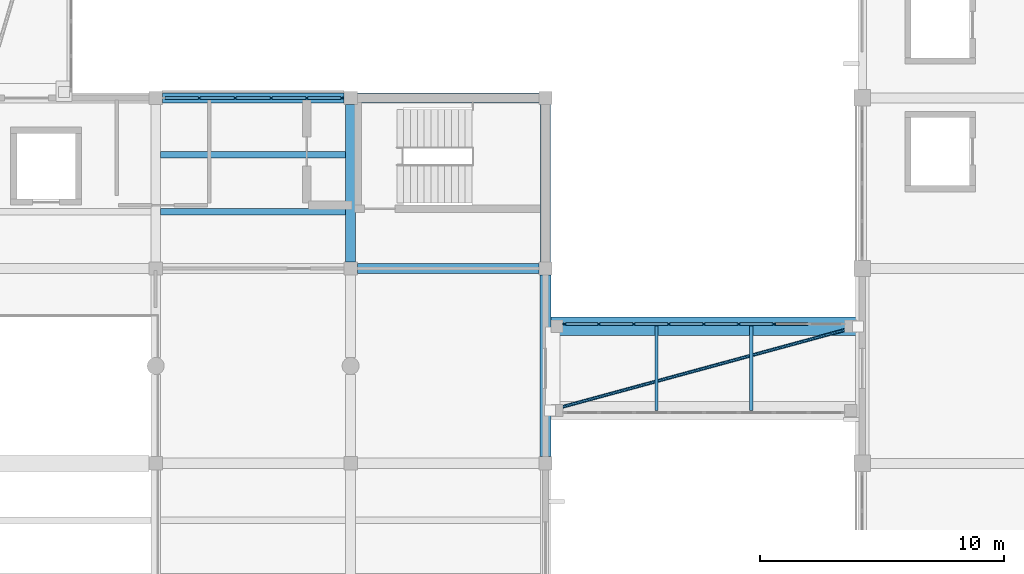
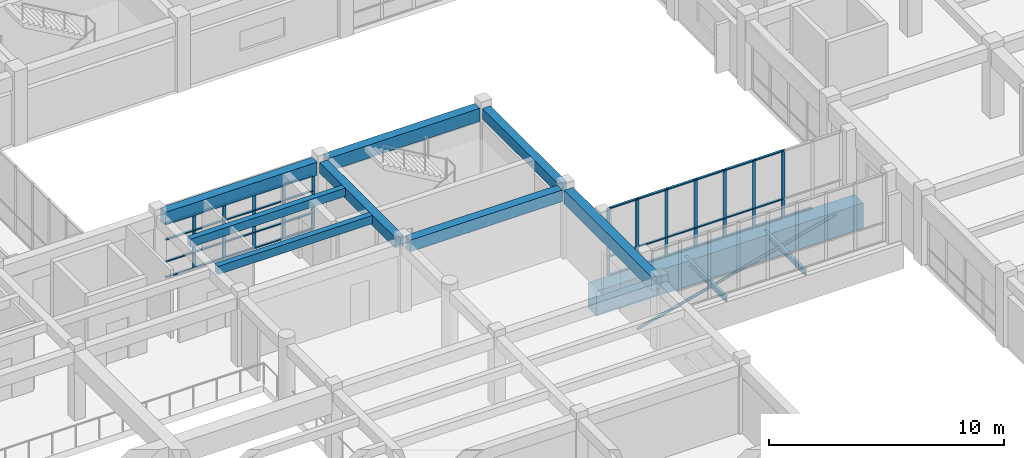
# One storey, part 21 of 66: 52 members, 11 beams, 2 elements without a shape of their own.
"""IFC4 building model written with IfcOpenShell, lengths in metres."""

import ifcopenshell
import ifcopenshell.guid

model = None  # the IFC model being written
_history = None  # IfcOwnerHistory: only IFC2X3 demands one
_inside = {}  # id of a spatial element -> (the spatial element, [elements in it])
_under = {}  # id of a project, library or spatial element -> (it, [spatial elements below it])
_declared = {}  # id of a project -> (the project, [libraries it declares])
_typed = {}  # id of a type object -> (the type object, [elements of that type])
_made_of = {}  # id of a material, layer set ... -> (it, [elements and type objects made of it])


def new_model(schema):
    """Start an empty IFC model of exactly this schema.

    Asked for "IFC4X3", IfcOpenShell would pick the latest addendum, in which some entities
    have other attributes; the version numbers below select the first issue.
    IFC2X3 requires an IfcOwnerHistory on every rooted entity: one is made here for all.
    """
    global model, _history
    if schema == "IFC4X3":
        model = ifcopenshell.file(schema_version=(4, 3, 0, 0))
    else:
        model = ifcopenshell.file(schema=schema)
    _inside.clear()
    _under.clear()
    _declared.clear()
    _typed.clear()
    _made_of.clear()
    _history = None
    if model.schema == "IFC2X3":
        org = make("IfcOrganization", Name="unknown")
        user = make(
            "IfcPersonAndOrganization",
            ThePerson=make("IfcPerson", FamilyName="unknown"),
            TheOrganization=org,
        )
        app = make(
            "IfcApplication",
            ApplicationDeveloper=org,
            Version="unknown",
            ApplicationFullName="unknown",
            ApplicationIdentifier="unknown",
        )
        _history = make(
            "IfcOwnerHistory",
            OwningUser=user,
            OwningApplication=app,
            ChangeAction="ADDED",
            CreationDate=0,
        )
    return model


def make(cls, **values):
    """One entity of the class cls with the attributes given. An attribute that is None is left unset."""
    return model.create_entity(
        cls, **{name: value for name, value in values.items() if value is not None}
    )


def rooted(cls, **values):
    """An entity with a GlobalId (a new one), such as an element, a storey or a relation."""
    return make(cls, GlobalId=ifcopenshell.guid.new(), OwnerHistory=_history, **values)


def si_unit(unit_type, name, prefix=None):
    """IfcSIUnit, for example si_unit("LENGTHUNIT", "METRE", prefix="MILLI")."""
    return make("IfcSIUnit", UnitType=unit_type, Prefix=prefix, Name=name)


def assignment(units):
    """IfcUnitAssignment: the units of a project."""
    return None if units is None else make("IfcUnitAssignment", Units=units)


def point(xyz):
    """IfcCartesianPoint."""
    return None if xyz is None else make("IfcCartesianPoint", Coordinates=xyz)


def direction(xyz):
    """IfcDirection."""
    return None if xyz is None else make("IfcDirection", DirectionRatios=xyz)


def frame(location, z_axis=None, x_axis=None):
    """IfcAxis2Placement3D, a coordinate frame: its origin and axes. An axis left out is left unset."""
    return make(
        "IfcAxis2Placement3D",
        Location=point(location),
        Axis=direction(z_axis),
        RefDirection=direction(x_axis),
    )


def frame_2d(location, x_axis=None):
    """IfcAxis2Placement2D, a coordinate frame in the plane: its origin and x axis."""
    return make(
        "IfcAxis2Placement2D", Location=point(location), RefDirection=direction(x_axis)
    )


def origin():
    """The frame at (0, 0, 0) with its axes left unset."""
    return frame((0.0, 0.0, 0.0))


def origin_2d():
    """The frame at (0, 0) in the plane with its x axis left unset."""
    return frame_2d((0.0, 0.0))


def place(relative_to, where):
    """IfcLocalPlacement: puts the frame where relative to a parent placement (None: the world)."""
    return make(
        "IfcLocalPlacement", PlacementRelTo=relative_to, RelativePlacement=where
    )


def context(
    kind, dimensions, precision=None, world=None, true_north=None, identifier=None
):
    """IfcGeometricRepresentationContext, for example the 3D "Model" context."""
    return make(
        "IfcGeometricRepresentationContext",
        ContextIdentifier=identifier,
        ContextType=kind,
        CoordinateSpaceDimension=dimensions,
        Precision=precision,
        WorldCoordinateSystem=world,
        TrueNorth=true_north,
    )


def subcontext(parent, identifier, kind, view, scale=None):
    """IfcGeometricRepresentationSubContext, for example "Body" below "Model"."""
    return make(
        "IfcGeometricRepresentationSubContext",
        ContextIdentifier=identifier,
        ContextType=kind,
        ParentContext=parent,
        TargetScale=scale,
        TargetView=view,
    )


def project(units=None, contexts=None):
    """IfcProject with its units and contexts."""
    return rooted(
        "IfcProject",
        Name="project",
        RepresentationContexts=contexts,
        UnitsInContext=assignment(units),
    )


def spatial(cls, under=None, at=None, **own):
    """A site, building, storey or space (cls), placed at a placement, below another one or the project."""
    s = rooted(cls, ObjectPlacement=at, **own)
    if under is not None:
        _under.setdefault(under.id(), (under, []))[1].append(s)
    return s


def profile(cls, at=None, kind="AREA", **sizes):
    """A parametric profile (cls). Its sizes go by their IFC names, for example OverallWidth=200.0."""
    return make(cls, ProfileType=kind, Position=at, **sizes)


def rectangle(**sizes):
    """IfcRectangleProfileDef."""
    return profile("IfcRectangleProfileDef", **sizes)


def hollow_circle(**sizes):
    """IfcCircleHollowProfileDef."""
    return profile("IfcCircleHollowProfileDef", **sizes)


def i_section(**sizes):
    """IfcIShapeProfileDef."""
    return profile("IfcIShapeProfileDef", **sizes)


def extrude(swept, where, along, depth):
    """IfcExtrudedAreaSolid: the profile swept, set in the frame where, extruded along a direction by depth."""
    return make(
        "IfcExtrudedAreaSolid",
        SweptArea=swept,
        Position=where,
        ExtrudedDirection=direction(along),
        Depth=depth,
    )


def shape(context_of_items, identifier, shape_type, items):
    """IfcShapeRepresentation: the items that make up one representation, for example the "Body"."""
    return make(
        "IfcShapeRepresentation",
        ContextOfItems=context_of_items,
        RepresentationIdentifier=identifier,
        RepresentationType=shape_type,
        Items=items,
    )


def material(Name=None, Category=None):
    """IfcMaterial."""
    return make("IfcMaterial", Name=Name, Category=Category)


def layer(
    of_material, thickness, ventilated=None, Name=None, Category=None, Priority=None
):
    """IfcMaterialLayer: one layer of a wall or slab, of a material (None: an air gap)."""
    return make(
        "IfcMaterialLayer",
        Material=of_material,
        LayerThickness=thickness,
        IsVentilated=ventilated,
        Name=Name,
        Category=Category,
        Priority=Priority,
    )


def layer_set(layers, Name=None):
    """IfcMaterialLayerSet."""
    return make("IfcMaterialLayerSet", MaterialLayers=layers, LayerSetName=Name)


def material_profile(
    of_material, cross_section, Name=None, Category=None, Priority=None
):
    """IfcMaterialProfile: a cross section and its material."""
    return make(
        "IfcMaterialProfile",
        Name=Name,
        Material=of_material,
        Profile=cross_section,
        Priority=Priority,
        Category=Category,
    )


def profile_set(profiles, Name=None, composite=None):
    """IfcMaterialProfileSet."""
    return make(
        "IfcMaterialProfileSet",
        Name=Name,
        MaterialProfiles=profiles,
        CompositeProfile=composite,
    )


def made_of(thing, what):
    """Note that an element or type object is made of a material, layer set ...; save() writes the relation."""
    if what is not None:
        _made_of.setdefault(what.id(), (what, []))[1].append(thing)
    return thing


def type_object(cls, material=None, **own):
    """A type object (cls), such as IfcWallType, which elements share."""
    return made_of(rooted(cls, **own), material)


def element(
    cls,
    number,
    at=None,
    inside=None,
    cuts=None,
    type_object=None,
    material=None,
    context=None,
    identifier="Body",
    shape_type=None,
    held_by="IfcProductDefinitionShape",
    body=None,
    shapes=None,
    **own,
):
    """One element of the class cls, such as IfcWall. Its Tag is "e" and its number.

    at: its placement. inside: the storey or other place that contains it. cuts: it is an
    opening in that element (IfcRelVoidsElement). A single representation is given by context,
    identifier, shape_type and body (its items); several are given by shapes. held_by: the class
    of the entity that holds the representations. save() writes the other relations.
    """
    e = rooted(cls, Tag="e%d" % number, ObjectPlacement=at, **own)
    if body is not None:
        shapes = [shape(context, identifier, shape_type, body)]
    if shapes is not None:
        e.Representation = make(held_by, Representations=shapes)
    if inside is not None:
        _inside.setdefault(inside.id(), (inside, []))[1].append(e)
    if cuts is not None:
        rooted(
            "IfcRelVoidsElement", RelatingBuildingElement=cuts, RelatedOpeningElement=e
        )
    if type_object is not None:
        _typed.setdefault(type_object.id(), (type_object, []))[1].append(e)
    return made_of(e, material)


def aggregate(whole, parts):
    """IfcRelAggregates: a whole, such as a stair, and the parts it consists of."""
    return rooted("IfcRelAggregates", RelatingObject=whole, RelatedObjects=parts)


def save(model, path):
    """Write the relations noted so far, then the file.

    IfcRelAggregates (storeys below a building ...), IfcRelContainedInSpatialStructure (elements
    in a storey), IfcRelDefinesByType, IfcRelAssociatesMaterial and IfcRelDeclares: one each for
    every whole, place, type object, material and project.
    """
    for whole, parts in _under.values():
        aggregate(whole, parts)
    for where, things in _inside.values():
        rooted(
            "IfcRelContainedInSpatialStructure",
            RelatedElements=things,
            RelatingStructure=where,
        )
    for kind, things in _typed.values():
        rooted("IfcRelDefinesByType", RelatedObjects=things, RelatingType=kind)
    for what, things in _made_of.values():
        rooted("IfcRelAssociatesMaterial", RelatedObjects=things, RelatingMaterial=what)
    for by, libraries in _declared.values():
        rooted("IfcRelDeclares", RelatingContext=by, RelatedDefinitions=libraries)
    model.write(path)


model = new_model("IFC4")

# Units and contexts
model_context = context("Model", 3, precision=1e-05, world=origin(), true_north=direction((0.0, 1.0)))
body_context = subcontext(model_context, "Body", "Model", "MODEL_VIEW")
ifc_project = project(units=[si_unit("LENGTHUNIT", "METRE"), si_unit("AREAUNIT", "SQUARE_METRE"), si_unit("VOLUMEUNIT", "CUBIC_METRE"), si_unit("PLANEANGLEUNIT", "RADIAN"), si_unit("MASSUNIT", "GRAM", prefix="KILO")], contexts=[model_context])

# Site, building, storey
site_placement = place(None, origin())
site = spatial("IfcSite", under=ifc_project, at=site_placement, CompositionType="ELEMENT")
building_placement = place(site_placement, origin())
building = spatial("IfcBuilding", under=site, at=building_placement, Name="Naurynzar Civic Courthouse", CompositionType="ELEMENT")
storey_placement = place(building_placement, frame((0.0, 0.0, 14.39990234375)))
storey = spatial("IfcBuildingStorey", under=building, at=storey_placement, Name="L04", CompositionType="ELEMENT", Elevation=14.39990234375)

# Beams
ifc_material_1 = material(Name="Concrete C40/50", Category="concrete")
ifc_material_profile_1 = material_profile(ifc_material_1, rectangle(XDim=0.27490234375, YDim=0.425048828125, at=origin_2d()), Name="RCB 275x425")
ifc_profile_set_1 = profile_set([ifc_material_profile_1], Name="Concrete C40/50")
beam_type_1 = type_object("IfcBeamType", Name="BM-JST-275x425", PredefinedType="JOIST", material=ifc_profile_set_1)
for number, where, z_axis, x_axis, name in (
    (1, (101.199951171875, 27.333251953125, 3.34765625), (1.0, 0.0, 0.0), (0.0, 1.0, 0.0), "V3 secondary rib 1565 L04"),
    (2, (101.199951171875, 29.666748046875, 3.34765625), (1.0, 0.0, 0.0), (0.0, 1.0, 0.0), "V3 secondary rib 1566 L04"),
):
    element("IfcBeam", number, at=place(storey_placement, frame(where, z_axis=z_axis, x_axis=x_axis)), inside=storey, type_object=beam_type_1, Name=name, PredefinedType="JOIST", context=body_context, shape_type="SweptSolid", body=[
        extrude(rectangle(XDim=0.27490234375, YDim=0.425048828125, at=origin_2d()), origin(), (0.0, 0.0, 1.0), 7.60009765625),
    ])
ifc_material_2 = material(Name="Concrete C40/50", Category="concrete")
ifc_material_profile_2 = material_profile(ifc_material_2, rectangle(XDim=0.39990234375, YDim=0.550048828125, at=origin_2d()), Name="RCB 400x550")
ifc_profile_set_2 = profile_set([ifc_material_profile_2], Name="Concrete C40/50")
beam_type_2 = type_object("IfcBeamType", Name="BM-RC-400x550", PredefinedType="BEAM", material=ifc_profile_set_2)
for number, where, z_axis, x_axis, name in (
    (3, (109.0, 25.27490234375, 3.28515625), (0.0, 1.0, 0.0), (-1.0, 0.0, 0.0), "V3 girder Y-1545 L04"),
    (4, (117.0, 25.27490234375, 3.28515625), (0.0, 1.0, 0.0), (-1.0, 0.0, 0.0), "V3 girder Y-1549 L04"),
):
    element("IfcBeam", number, at=place(storey_placement, frame(where, z_axis=z_axis, x_axis=x_axis)), inside=storey, type_object=beam_type_2, Name=name, PredefinedType="BEAM", context=body_context, shape_type="SweptSolid", body=[
        extrude(rectangle(XDim=0.39990234375, YDim=0.550048828125, at=origin_2d()), origin(), (0.0, 0.0, 1.0), 6.4501953125),
    ])
ifc_material_3 = material(Name="Concrete C40/50", Category="concrete")
ifc_material_profile_3 = material_profile(ifc_material_3, rectangle(XDim=0.425048828125, YDim=0.60009765625, at=origin_2d()), Name="RCB 425x600")
ifc_profile_set_3 = profile_set([ifc_material_profile_3], Name="Concrete C40/50")
beam_type_3 = type_object("IfcBeamType", Name="BM-RC-425x600", PredefinedType="BEAM", material=ifc_profile_set_3)
beam_1_placement = place(storey_placement, frame((109.27490234375, 25.0, 3.260009765625), z_axis=(1.0, 0.0, 0.0), x_axis=(0.0, 1.0, 0.0)))
element("IfcBeam", 5, at=beam_1_placement, inside=storey, type_object=beam_type_3, Name="V3 beam X-1512 L04", PredefinedType="BEAM", context=body_context, shape_type="SweptSolid", body=[
    extrude(rectangle(XDim=0.425048828125, YDim=0.60009765625, at=origin_2d()), origin(), (0.0, 0.0, 1.0), 7.4501953125),
])
ifc_material_4 = material(Name="Concrete C40/50", Category="concrete")
ifc_material_profile_4 = material_profile(ifc_material_4, rectangle(XDim=0.425048828125, YDim=0.675048828125, at=origin_2d()), Name="RCB 425x675")
ifc_profile_set_4 = profile_set([ifc_material_profile_4], Name="Concrete C40/50")
beam_type_4 = type_object("IfcBeamType", Name="BM-RC-425x675", PredefinedType="SPANDREL", material=ifc_profile_set_4)
for number, where, z_axis, x_axis, name in (
    (6, (101.27490234375, 32.0, 3.22265625), (1.0, 0.0, 0.0), (0.0, 1.0, 0.0), "V3 beam X-1517 L04"),
    (7, (109.27490234375, 32.0, 3.22265625), (1.0, 0.0, 0.0), (0.0, 1.0, 0.0), "V3 beam X-1518 L04"),
):
    element("IfcBeam", number, at=place(storey_placement, frame(where, z_axis=z_axis, x_axis=x_axis)), inside=storey, type_object=beam_type_4, Name=name, PredefinedType="SPANDREL", context=body_context, shape_type="SweptSolid", body=[
        extrude(rectangle(XDim=0.425048828125, YDim=0.675048828125, at=origin_2d()), origin(), (0.0, 0.0, 1.0), 7.4501953125),
    ])
ifc_material_5 = material(Name="Concrete C40/50", Category="concrete")
ifc_material_profile_5 = material_profile(ifc_material_5, rectangle(XDim=0.449951171875, YDim=0.699951171875, at=origin_2d()), Name="RCB 450x700")
ifc_profile_set_5 = profile_set([ifc_material_profile_5], Name="Concrete C40/50")
beam_type_5 = type_object("IfcBeamType", Name="BM-RC-450x700", PredefinedType="BEAM", material=ifc_profile_set_5)
beam_2_placement = place(storey_placement, frame((117.0, 17.27490234375, 3.210205078125), z_axis=(0.0, 1.0, 0.0), x_axis=(-1.0, 0.0, 0.0)))
element("IfcBeam", 8, at=beam_2_placement, inside=storey, type_object=beam_type_5, Name="V3 girder Y-1548 L04", PredefinedType="BEAM", context=body_context, shape_type="SweptSolid", body=[
    extrude(rectangle(XDim=0.449951171875, YDim=0.699951171875, at=origin_2d()), origin(), (0.0, 0.0, 1.0), 7.4501953125),
])
ifc_material_6 = material(Name="Steel S355", Category="steel")
ifc_material_profile_6 = material_profile(ifc_material_6, i_section(OverallWidth=0.135009765625, OverallDepth=0.27001953125, WebThickness=0.006591796875, FlangeThickness=0.01025390625, FilletRadius=0.014892578125, at=origin_2d()), Name="IPE 270")
ifc_profile_set_6 = profile_set([ifc_material_profile_6], Name="Steel S355")
beam_type_6 = type_object("IfcBeamType", Name="BM-STL-IPE270", PredefinedType="BEAM", material=ifc_profile_set_6)
for number, where, z_axis, x_axis, name in (
    (9, (121.555908203125, 19.169921875, -0.375), (0.0, 1.0, 0.0), (-1.0, 0.0, 0.0), "BR-E2 deck cross-beam L04.1"),
    (10, (125.444091796875, 19.169921875, -0.375), (0.0, 1.0, 0.0), (-1.0, 0.0, 0.0), "BR-E2 deck cross-beam L04.2"),
):
    element("IfcBeam", number, at=place(storey_placement, frame(where, z_axis=z_axis, x_axis=x_axis)), inside=storey, type_object=beam_type_6, Name=name, PredefinedType="BEAM", context=body_context, shape_type="SweptSolid", body=[
        extrude(i_section(OverallWidth=0.135009765625, OverallDepth=0.27001953125, WebThickness=0.006591796875, FlangeThickness=0.01025390625, FilletRadius=0.014892578125, at=origin_2d()), origin(), (0.0, 0.0, 1.0), 3.4599609375),
    ])
ifc_material_7 = material(Name="Concrete C40/50", Category="concrete")
ifc_material_profile_7 = material_profile(ifc_material_7, rectangle(XDim=0.75, YDim=1.300048828125, at=origin_2d()), Name="RCT 750x1300")
ifc_profile_set_7 = profile_set([ifc_material_profile_7], Name="Concrete C40/50")
beam_type_7 = type_object("IfcBeamType", Name="BM-TR-750x1300", PredefinedType="SPANDREL", material=ifc_profile_set_7)
beam_3_placement = place(storey_placement, frame((116.949951171875, 22.6298828125, -0.889892578125), z_axis=(1.0, 0.0, 0.0), x_axis=(0.0, 1.0, 0.0)))
element("IfcBeam", 11, at=beam_3_placement, inside=storey, type_object=beam_type_7, Name="Transfer Girder TG-01", PredefinedType="SPANDREL", context=body_context, shape_type="SweptSolid", body=[
    extrude(rectangle(XDim=0.75, YDim=1.300048828125, at=origin_2d()), origin(), (0.0, 0.0, 1.0), 13.10009765625),
])

# Curtain wall, members
ifc_material_8 = material(Name="Aluminium 6063-T6", Category="aluminium")
ifc_layer_1 = layer(ifc_material_8, 0.179931640625)
ifc_layer_set_1 = layer_set([ifc_layer_1], Name="CW-UNIT-1500")
curtain_wall_type_1 = type_object("IfcCurtainWallType", Name="CW-UNIT-1500", PredefinedType="NOTDEFINED", material=ifc_layer_set_1)
curtain_wall_1_placement = place(storey_placement, origin())
curtain_wall_1 = element("IfcCurtainWall", 12, at=curtain_wall_1_placement, inside=storey, type_object=curtain_wall_type_1, Name="V3 unitised curtain wall 72 L04", PredefinedType="NOTDEFINED")
ifc_material_9 = material(Name="Aluminium 6063-T6", Category="aluminium")
ifc_material_profile_8 = material_profile(ifc_material_9, rectangle(XDim=0.06005859375, YDim=0.14990234375, at=origin_2d()), Name="ALU MULLION 60x150")
ifc_profile_set_8 = profile_set([ifc_material_profile_8], Name="Aluminium 6063-T6")
member_type_1 = type_object("IfcMemberType", Name="CWM-60x150", PredefinedType="MULLION", material=ifc_profile_set_8)
member_1_placement = place(storey_placement, frame((102.794921875, 32.0, 0.0), z_axis=(0.0, 0.0, 1.0), x_axis=(0.0, 1.0, 0.0)))
member_1 = element("IfcMember", 13, at=member_1_placement, type_object=member_type_1, Name="CW-01 mullion 2", PredefinedType="MULLION", context=body_context, shape_type="SweptSolid", body=[
    extrude(rectangle(XDim=0.06005859375, YDim=0.14990234375, at=origin_2d()), origin(), (0.0, 0.0, 1.0), 2.840087890625),
])
member_2_placement = place(storey_placement, frame((104.264892578125, 32.0, 0.0), z_axis=(0.0, 0.0, 1.0), x_axis=(0.0, 1.0, 0.0)))
member_2 = element("IfcMember", 14, at=member_2_placement, type_object=member_type_1, Name="CW-01 mullion 3", PredefinedType="MULLION", context=body_context, shape_type="SweptSolid", body=[
    extrude(rectangle(XDim=0.06005859375, YDim=0.14990234375, at=origin_2d()), origin(), (0.0, 0.0, 1.0), 2.840087890625),
])
member_3_placement = place(storey_placement, frame((105.735107421875, 32.0, 0.0), z_axis=(0.0, 0.0, 1.0), x_axis=(0.0, 1.0, 0.0)))
member_3 = element("IfcMember", 15, at=member_3_placement, type_object=member_type_1, Name="CW-01 mullion 4", PredefinedType="MULLION", context=body_context, shape_type="SweptSolid", body=[
    extrude(rectangle(XDim=0.06005859375, YDim=0.14990234375, at=origin_2d()), origin(), (0.0, 0.0, 1.0), 2.840087890625),
])
member_4_placement = place(storey_placement, frame((107.205078125, 32.0, 0.0), z_axis=(0.0, 0.0, 1.0), x_axis=(0.0, 1.0, 0.0)))
member_4 = element("IfcMember", 16, at=member_4_placement, type_object=member_type_1, Name="CW-01 mullion 5", PredefinedType="MULLION", context=body_context, shape_type="SweptSolid", body=[
    extrude(rectangle(XDim=0.06005859375, YDim=0.14990234375, at=origin_2d()), origin(), (0.0, 0.0, 1.0), 2.840087890625),
])
member_5_placement = place(storey_placement, frame((108.64501953125, 32.0, 0.0), z_axis=(0.0, 0.0, 1.0), x_axis=(0.0, 1.0, 0.0)))
member_5 = element("IfcMember", 17, at=member_5_placement, type_object=member_type_1, Name="CW-01 mullion 6", PredefinedType="MULLION", context=body_context, shape_type="SweptSolid", body=[
    extrude(rectangle(XDim=0.06005859375, YDim=0.14990234375, at=origin_2d()), origin(), (0.0, 0.0, 1.0), 2.840087890625),
])

ifc_material_10 = material(Name="Aluminium 6063-T6", Category="aluminium")
ifc_layer_2 = layer(ifc_material_10, 0.14990234375)
ifc_layer_set_2 = layer_set([ifc_layer_2], Name="CW-BRIDGE-1500")
curtain_wall_type_2 = type_object("IfcCurtainWallType", Name="CW-BRIDGE-1500", PredefinedType="USERDEFINED", material=ifc_layer_set_2)
curtain_wall_2_placement = place(storey_placement, origin())
curtain_wall_2 = element("IfcCurtainWall", 18, at=curtain_wall_2_placement, inside=storey, type_object=curtain_wall_type_2, Name="BR-E2 glazed bridge screen L04.2", ObjectType="GLAZED BRIDGE SCREEN", PredefinedType="USERDEFINED")
member_6_placement = place(storey_placement, frame((126.3701171875, 22.719970703125, 0.0), z_axis=(0.0, 0.0, 1.0), x_axis=(0.0, -1.0, 0.0)))
member_6 = element("IfcMember", 19, at=member_6_placement, type_object=member_type_1, Name="CW-03 mullion 3", PredefinedType="MULLION", context=body_context, shape_type="SweptSolid", body=[
    extrude(rectangle(XDim=0.06005859375, YDim=0.14990234375, at=origin_2d()), origin(), (0.0, 0.0, 1.0), 3.52001953125),
])
member_7_placement = place(storey_placement, frame((124.93505859375, 22.719970703125, 0.0), z_axis=(0.0, 0.0, 1.0), x_axis=(0.0, -1.0, 0.0)))
member_7 = element("IfcMember", 20, at=member_7_placement, type_object=member_type_1, Name="CW-03 mullion 4", PredefinedType="MULLION", context=body_context, shape_type="SweptSolid", body=[
    extrude(rectangle(XDim=0.06005859375, YDim=0.14990234375, at=origin_2d()), origin(), (0.0, 0.0, 1.0), 3.52001953125),
])
member_8_placement = place(storey_placement, frame((123.5, 22.719970703125, 0.0), z_axis=(0.0, 0.0, 1.0), x_axis=(0.0, -1.0, 0.0)))
member_8 = element("IfcMember", 21, at=member_8_placement, type_object=member_type_1, Name="CW-03 mullion 5", PredefinedType="MULLION", context=body_context, shape_type="SweptSolid", body=[
    extrude(rectangle(XDim=0.06005859375, YDim=0.14990234375, at=origin_2d()), origin(), (0.0, 0.0, 1.0), 3.52001953125),
])
member_9_placement = place(storey_placement, frame((122.06494140625, 22.719970703125, 0.0), z_axis=(0.0, 0.0, 1.0), x_axis=(0.0, -1.0, 0.0)))
member_9 = element("IfcMember", 22, at=member_9_placement, type_object=member_type_1, Name="CW-03 mullion 6", PredefinedType="MULLION", context=body_context, shape_type="SweptSolid", body=[
    extrude(rectangle(XDim=0.06005859375, YDim=0.14990234375, at=origin_2d()), origin(), (0.0, 0.0, 1.0), 3.52001953125),
])
member_10_placement = place(storey_placement, frame((120.6298828125, 22.719970703125, 0.0), z_axis=(0.0, 0.0, 1.0), x_axis=(0.0, -1.0, 0.0)))
member_10 = element("IfcMember", 23, at=member_10_placement, type_object=member_type_1, Name="CW-03 mullion 7", PredefinedType="MULLION", context=body_context, shape_type="SweptSolid", body=[
    extrude(rectangle(XDim=0.06005859375, YDim=0.14990234375, at=origin_2d()), origin(), (0.0, 0.0, 1.0), 3.52001953125),
])
member_11_placement = place(storey_placement, frame((119.195068359375, 22.719970703125, 0.0), z_axis=(0.0, 0.0, 1.0), x_axis=(0.0, -1.0, 0.0)))
member_11 = element("IfcMember", 24, at=member_11_placement, type_object=member_type_1, Name="CW-03 mullion 8", PredefinedType="MULLION", context=body_context, shape_type="SweptSolid", body=[
    extrude(rectangle(XDim=0.06005859375, YDim=0.14990234375, at=origin_2d()), origin(), (0.0, 0.0, 1.0), 3.52001953125),
])
member_12_placement = place(storey_placement, frame((117.7900390625, 22.719970703125, 0.0), z_axis=(0.0, 0.0, 1.0), x_axis=(0.0, -1.0, 0.0)))
member_12 = element("IfcMember", 25, at=member_12_placement, type_object=member_type_1, Name="CW-03 mullion 9", PredefinedType="MULLION", context=body_context, shape_type="SweptSolid", body=[
    extrude(rectangle(XDim=0.06005859375, YDim=0.14990234375, at=origin_2d()), origin(), (0.0, 0.0, 1.0), 3.52001953125),
])

# Member
ifc_material_11 = material(Name="Aluminium 6063-T6", Category="aluminium")
ifc_material_profile_9 = material_profile(ifc_material_11, rectangle(XDim=0.110107421875, YDim=0.06005859375, at=origin_2d()), Name="ALU TRANSOM 60x110")
ifc_profile_set_9 = profile_set([ifc_material_profile_9], Name="Aluminium 6063-T6")
member_type_2 = type_object("IfcMemberType", Name="CWT-60x110", PredefinedType="USERDEFINED", material=ifc_profile_set_9)
member_13_placement = place(storey_placement, frame((101.385009765625, 32.0, 0.030029296875), z_axis=(1.0, 0.0, 0.0), x_axis=(0.0, 1.0, 0.0)))
member_13 = element("IfcMember", 26, at=member_13_placement, type_object=member_type_2, Name="CW-01 transom 1.1", ObjectType="TRANSOM", PredefinedType="USERDEFINED", context=body_context, shape_type="SweptSolid", body=[
    extrude(rectangle(XDim=0.110107421875, YDim=0.06005859375, at=origin_2d()), origin(), (0.0, 0.0, 1.0), 1.3798828125),
])

member_14_placement = place(storey_placement, frame((101.385009765625, 32.0, 0.85009765625), z_axis=(1.0, 0.0, 0.0), x_axis=(0.0, 1.0, 0.0)))
member_14 = element("IfcMember", 27, at=member_14_placement, type_object=member_type_2, Name="CW-01 transom 1.2", ObjectType="TRANSOM", PredefinedType="USERDEFINED", context=body_context, shape_type="SweptSolid", body=[
    extrude(rectangle(XDim=0.110107421875, YDim=0.06005859375, at=origin_2d()), origin(), (0.0, 0.0, 1.0), 1.3798828125),
])

member_15_placement = place(storey_placement, frame((101.385009765625, 32.0, 1.989990234375), z_axis=(1.0, 0.0, 0.0), x_axis=(0.0, 1.0, 0.0)))
member_15 = element("IfcMember", 28, at=member_15_placement, type_object=member_type_2, Name="CW-01 transom 1.3", ObjectType="TRANSOM", PredefinedType="USERDEFINED", context=body_context, shape_type="SweptSolid", body=[
    extrude(rectangle(XDim=0.110107421875, YDim=0.06005859375, at=origin_2d()), origin(), (0.0, 0.0, 1.0), 1.3798828125),
])

member_16_placement = place(storey_placement, frame((101.385009765625, 32.0, 2.81005859375), z_axis=(1.0, 0.0, 0.0), x_axis=(0.0, 1.0, 0.0)))
member_16 = element("IfcMember", 29, at=member_16_placement, type_object=member_type_2, Name="CW-01 transom 1.4", ObjectType="TRANSOM", PredefinedType="USERDEFINED", context=body_context, shape_type="SweptSolid", body=[
    extrude(rectangle(XDim=0.110107421875, YDim=0.06005859375, at=origin_2d()), origin(), (0.0, 0.0, 1.0), 1.3798828125),
])

member_17_placement = place(storey_placement, frame((102.824951171875, 32.0, 0.030029296875), z_axis=(1.0, 0.0, 0.0), x_axis=(0.0, 1.0, 0.0)))
member_17 = element("IfcMember", 30, at=member_17_placement, type_object=member_type_2, Name="CW-01 transom 2.1", ObjectType="TRANSOM", PredefinedType="USERDEFINED", context=body_context, shape_type="SweptSolid", body=[
    extrude(rectangle(XDim=0.110107421875, YDim=0.06005859375, at=origin_2d()), origin(), (0.0, 0.0, 1.0), 1.41015625),
])

member_18_placement = place(storey_placement, frame((102.824951171875, 32.0, 0.85009765625), z_axis=(1.0, 0.0, 0.0), x_axis=(0.0, 1.0, 0.0)))
member_18 = element("IfcMember", 31, at=member_18_placement, type_object=member_type_2, Name="CW-01 transom 2.2", ObjectType="TRANSOM", PredefinedType="USERDEFINED", context=body_context, shape_type="SweptSolid", body=[
    extrude(rectangle(XDim=0.110107421875, YDim=0.06005859375, at=origin_2d()), origin(), (0.0, 0.0, 1.0), 1.41015625),
])

member_19_placement = place(storey_placement, frame((102.824951171875, 32.0, 1.989990234375), z_axis=(1.0, 0.0, 0.0), x_axis=(0.0, 1.0, 0.0)))
member_19 = element("IfcMember", 32, at=member_19_placement, type_object=member_type_2, Name="CW-01 transom 2.3", ObjectType="TRANSOM", PredefinedType="USERDEFINED", context=body_context, shape_type="SweptSolid", body=[
    extrude(rectangle(XDim=0.110107421875, YDim=0.06005859375, at=origin_2d()), origin(), (0.0, 0.0, 1.0), 1.41015625),
])

member_20_placement = place(storey_placement, frame((102.824951171875, 32.0, 2.81005859375), z_axis=(1.0, 0.0, 0.0), x_axis=(0.0, 1.0, 0.0)))
member_20 = element("IfcMember", 33, at=member_20_placement, type_object=member_type_2, Name="CW-01 transom 2.4", ObjectType="TRANSOM", PredefinedType="USERDEFINED", context=body_context, shape_type="SweptSolid", body=[
    extrude(rectangle(XDim=0.110107421875, YDim=0.06005859375, at=origin_2d()), origin(), (0.0, 0.0, 1.0), 1.41015625),
])

member_21_placement = place(storey_placement, frame((104.294921875, 32.0, 0.030029296875), z_axis=(1.0, 0.0, 0.0), x_axis=(0.0, 1.0, 0.0)))
member_21 = element("IfcMember", 34, at=member_21_placement, type_object=member_type_2, Name="CW-01 transom 3.1", ObjectType="TRANSOM", PredefinedType="USERDEFINED", context=body_context, shape_type="SweptSolid", body=[
    extrude(rectangle(XDim=0.110107421875, YDim=0.06005859375, at=origin_2d()), origin(), (0.0, 0.0, 1.0), 1.41015625),
])

member_22_placement = place(storey_placement, frame((104.294921875, 32.0, 0.85009765625), z_axis=(1.0, 0.0, 0.0), x_axis=(0.0, 1.0, 0.0)))
member_22 = element("IfcMember", 35, at=member_22_placement, type_object=member_type_2, Name="CW-01 transom 3.2", ObjectType="TRANSOM", PredefinedType="USERDEFINED", context=body_context, shape_type="SweptSolid", body=[
    extrude(rectangle(XDim=0.110107421875, YDim=0.06005859375, at=origin_2d()), origin(), (0.0, 0.0, 1.0), 1.41015625),
])

member_23_placement = place(storey_placement, frame((104.294921875, 32.0, 1.989990234375), z_axis=(1.0, 0.0, 0.0), x_axis=(0.0, 1.0, 0.0)))
member_23 = element("IfcMember", 36, at=member_23_placement, type_object=member_type_2, Name="CW-01 transom 3.3", ObjectType="TRANSOM", PredefinedType="USERDEFINED", context=body_context, shape_type="SweptSolid", body=[
    extrude(rectangle(XDim=0.110107421875, YDim=0.06005859375, at=origin_2d()), origin(), (0.0, 0.0, 1.0), 1.41015625),
])

member_24_placement = place(storey_placement, frame((104.294921875, 32.0, 2.81005859375), z_axis=(1.0, 0.0, 0.0), x_axis=(0.0, 1.0, 0.0)))
member_24 = element("IfcMember", 37, at=member_24_placement, type_object=member_type_2, Name="CW-01 transom 3.4", ObjectType="TRANSOM", PredefinedType="USERDEFINED", context=body_context, shape_type="SweptSolid", body=[
    extrude(rectangle(XDim=0.110107421875, YDim=0.06005859375, at=origin_2d()), origin(), (0.0, 0.0, 1.0), 1.41015625),
])

member_25_placement = place(storey_placement, frame((105.764892578125, 32.0, 0.030029296875), z_axis=(1.0, 0.0, 0.0), x_axis=(0.0, 1.0, 0.0)))
member_25 = element("IfcMember", 38, at=member_25_placement, type_object=member_type_2, Name="CW-01 transom 4.1", ObjectType="TRANSOM", PredefinedType="USERDEFINED", context=body_context, shape_type="SweptSolid", body=[
    extrude(rectangle(XDim=0.110107421875, YDim=0.06005859375, at=origin_2d()), origin(), (0.0, 0.0, 1.0), 1.41015625),
])

member_26_placement = place(storey_placement, frame((105.764892578125, 32.0, 0.85009765625), z_axis=(1.0, 0.0, 0.0), x_axis=(0.0, 1.0, 0.0)))
member_26 = element("IfcMember", 39, at=member_26_placement, type_object=member_type_2, Name="CW-01 transom 4.2", ObjectType="TRANSOM", PredefinedType="USERDEFINED", context=body_context, shape_type="SweptSolid", body=[
    extrude(rectangle(XDim=0.110107421875, YDim=0.06005859375, at=origin_2d()), origin(), (0.0, 0.0, 1.0), 1.41015625),
])

member_27_placement = place(storey_placement, frame((105.764892578125, 32.0, 1.989990234375), z_axis=(1.0, 0.0, 0.0), x_axis=(0.0, 1.0, 0.0)))
member_27 = element("IfcMember", 40, at=member_27_placement, type_object=member_type_2, Name="CW-01 transom 4.3", ObjectType="TRANSOM", PredefinedType="USERDEFINED", context=body_context, shape_type="SweptSolid", body=[
    extrude(rectangle(XDim=0.110107421875, YDim=0.06005859375, at=origin_2d()), origin(), (0.0, 0.0, 1.0), 1.41015625),
])

member_28_placement = place(storey_placement, frame((105.764892578125, 32.0, 2.81005859375), z_axis=(1.0, 0.0, 0.0), x_axis=(0.0, 1.0, 0.0)))
member_28 = element("IfcMember", 41, at=member_28_placement, type_object=member_type_2, Name="CW-01 transom 4.4", ObjectType="TRANSOM", PredefinedType="USERDEFINED", context=body_context, shape_type="SweptSolid", body=[
    extrude(rectangle(XDim=0.110107421875, YDim=0.06005859375, at=origin_2d()), origin(), (0.0, 0.0, 1.0), 1.41015625),
])

member_29_placement = place(storey_placement, frame((107.235107421875, 32.0, 0.030029296875), z_axis=(1.0, 0.0, 0.0), x_axis=(0.0, 1.0, 0.0)))
member_29 = element("IfcMember", 42, at=member_29_placement, type_object=member_type_2, Name="CW-01 transom 5.1", ObjectType="TRANSOM", PredefinedType="USERDEFINED", context=body_context, shape_type="SweptSolid", body=[
    extrude(rectangle(XDim=0.110107421875, YDim=0.06005859375, at=origin_2d()), origin(), (0.0, 0.0, 1.0), 1.3798828125),
])

member_30_placement = place(storey_placement, frame((107.235107421875, 32.0, 0.85009765625), z_axis=(1.0, 0.0, 0.0), x_axis=(0.0, 1.0, 0.0)))
member_30 = element("IfcMember", 43, at=member_30_placement, type_object=member_type_2, Name="CW-01 transom 5.2", ObjectType="TRANSOM", PredefinedType="USERDEFINED", context=body_context, shape_type="SweptSolid", body=[
    extrude(rectangle(XDim=0.110107421875, YDim=0.06005859375, at=origin_2d()), origin(), (0.0, 0.0, 1.0), 1.3798828125),
])

member_31_placement = place(storey_placement, frame((107.235107421875, 32.0, 1.989990234375), z_axis=(1.0, 0.0, 0.0), x_axis=(0.0, 1.0, 0.0)))
member_31 = element("IfcMember", 44, at=member_31_placement, type_object=member_type_2, Name="CW-01 transom 5.3", ObjectType="TRANSOM", PredefinedType="USERDEFINED", context=body_context, shape_type="SweptSolid", body=[
    extrude(rectangle(XDim=0.110107421875, YDim=0.06005859375, at=origin_2d()), origin(), (0.0, 0.0, 1.0), 1.3798828125),
])

member_32_placement = place(storey_placement, frame((107.235107421875, 32.0, 2.81005859375), z_axis=(1.0, 0.0, 0.0), x_axis=(0.0, 1.0, 0.0)))
member_32 = element("IfcMember", 45, at=member_32_placement, type_object=member_type_2, Name="CW-01 transom 5.4", ObjectType="TRANSOM", PredefinedType="USERDEFINED", context=body_context, shape_type="SweptSolid", body=[
    extrude(rectangle(XDim=0.110107421875, YDim=0.06005859375, at=origin_2d()), origin(), (0.0, 0.0, 1.0), 1.3798828125),
])

aggregate(curtain_wall_1, [member_1, member_2, member_3, member_4, member_5, member_13, member_14, member_15, member_16, member_17, member_18, member_19, member_20, member_21, member_22, member_23, member_24, member_25, member_26, member_27, member_28, member_29, member_30, member_31, member_32])

member_33_placement = place(storey_placement, frame((127.77490234375, 22.719970703125, 0.030029296875), z_axis=(-1.0, 0.0, 0.0), x_axis=(0.0, -1.0, 0.0)))
member_33 = element("IfcMember", 46, at=member_33_placement, type_object=member_type_2, Name="CW-03 transom 2.1", ObjectType="TRANSOM", PredefinedType="USERDEFINED", context=body_context, shape_type="SweptSolid", body=[
    extrude(rectangle(XDim=0.110107421875, YDim=0.06005859375, at=origin_2d()), origin(), (0.0, 0.0, 1.0), 1.375),
])

member_34_placement = place(storey_placement, frame((126.340087890625, 22.719970703125, 0.030029296875), z_axis=(-1.0, 0.0, 0.0), x_axis=(0.0, -1.0, 0.0)))
member_34 = element("IfcMember", 47, at=member_34_placement, type_object=member_type_2, Name="CW-03 transom 3.1", ObjectType="TRANSOM", PredefinedType="USERDEFINED", context=body_context, shape_type="SweptSolid", body=[
    extrude(rectangle(XDim=0.110107421875, YDim=0.06005859375, at=origin_2d()), origin(), (0.0, 0.0, 1.0), 1.375),
])

member_35_placement = place(storey_placement, frame((126.340087890625, 22.719970703125, 1.0), z_axis=(-1.0, 0.0, 0.0), x_axis=(0.0, -1.0, 0.0)))
member_35 = element("IfcMember", 48, at=member_35_placement, type_object=member_type_2, Name="CW-03 transom 3.2", ObjectType="TRANSOM", PredefinedType="USERDEFINED", context=body_context, shape_type="SweptSolid", body=[
    extrude(rectangle(XDim=0.110107421875, YDim=0.06005859375, at=origin_2d()), origin(), (0.0, 0.0, 1.0), 1.375),
])

member_36_placement = place(storey_placement, frame((126.340087890625, 22.719970703125, 3.489990234375), z_axis=(-1.0, 0.0, 0.0), x_axis=(0.0, -1.0, 0.0)))
member_36 = element("IfcMember", 49, at=member_36_placement, type_object=member_type_2, Name="CW-03 transom 3.3", ObjectType="TRANSOM", PredefinedType="USERDEFINED", context=body_context, shape_type="SweptSolid", body=[
    extrude(rectangle(XDim=0.110107421875, YDim=0.06005859375, at=origin_2d()), origin(), (0.0, 0.0, 1.0), 1.375),
])

member_37_placement = place(storey_placement, frame((124.905029296875, 22.719970703125, 0.030029296875), z_axis=(-1.0, 0.0, 0.0), x_axis=(0.0, -1.0, 0.0)))
member_37 = element("IfcMember", 50, at=member_37_placement, type_object=member_type_2, Name="CW-03 transom 4.1", ObjectType="TRANSOM", PredefinedType="USERDEFINED", context=body_context, shape_type="SweptSolid", body=[
    extrude(rectangle(XDim=0.110107421875, YDim=0.06005859375, at=origin_2d()), origin(), (0.0, 0.0, 1.0), 1.375),
])

member_38_placement = place(storey_placement, frame((124.905029296875, 22.719970703125, 1.0), z_axis=(-1.0, 0.0, 0.0), x_axis=(0.0, -1.0, 0.0)))
member_38 = element("IfcMember", 51, at=member_38_placement, type_object=member_type_2, Name="CW-03 transom 4.2", ObjectType="TRANSOM", PredefinedType="USERDEFINED", context=body_context, shape_type="SweptSolid", body=[
    extrude(rectangle(XDim=0.110107421875, YDim=0.06005859375, at=origin_2d()), origin(), (0.0, 0.0, 1.0), 1.375),
])

member_39_placement = place(storey_placement, frame((124.905029296875, 22.719970703125, 3.489990234375), z_axis=(-1.0, 0.0, 0.0), x_axis=(0.0, -1.0, 0.0)))
member_39 = element("IfcMember", 52, at=member_39_placement, type_object=member_type_2, Name="CW-03 transom 4.3", ObjectType="TRANSOM", PredefinedType="USERDEFINED", context=body_context, shape_type="SweptSolid", body=[
    extrude(rectangle(XDim=0.110107421875, YDim=0.06005859375, at=origin_2d()), origin(), (0.0, 0.0, 1.0), 1.375),
])

member_40_placement = place(storey_placement, frame((123.469970703125, 22.719970703125, 0.030029296875), z_axis=(-1.0, 0.0, 0.0), x_axis=(0.0, -1.0, 0.0)))
member_40 = element("IfcMember", 53, at=member_40_placement, type_object=member_type_2, Name="CW-03 transom 5.1", ObjectType="TRANSOM", PredefinedType="USERDEFINED", context=body_context, shape_type="SweptSolid", body=[
    extrude(rectangle(XDim=0.110107421875, YDim=0.06005859375, at=origin_2d()), origin(), (0.0, 0.0, 1.0), 1.375),
])

member_41_placement = place(storey_placement, frame((123.469970703125, 22.719970703125, 1.0), z_axis=(-1.0, 0.0, 0.0), x_axis=(0.0, -1.0, 0.0)))
member_41 = element("IfcMember", 54, at=member_41_placement, type_object=member_type_2, Name="CW-03 transom 5.2", ObjectType="TRANSOM", PredefinedType="USERDEFINED", context=body_context, shape_type="SweptSolid", body=[
    extrude(rectangle(XDim=0.110107421875, YDim=0.06005859375, at=origin_2d()), origin(), (0.0, 0.0, 1.0), 1.375),
])

member_42_placement = place(storey_placement, frame((123.469970703125, 22.719970703125, 3.489990234375), z_axis=(-1.0, 0.0, 0.0), x_axis=(0.0, -1.0, 0.0)))
member_42 = element("IfcMember", 55, at=member_42_placement, type_object=member_type_2, Name="CW-03 transom 5.3", ObjectType="TRANSOM", PredefinedType="USERDEFINED", context=body_context, shape_type="SweptSolid", body=[
    extrude(rectangle(XDim=0.110107421875, YDim=0.06005859375, at=origin_2d()), origin(), (0.0, 0.0, 1.0), 1.375),
])

member_43_placement = place(storey_placement, frame((122.034912109375, 22.719970703125, 0.030029296875), z_axis=(-1.0, 0.0, 0.0), x_axis=(0.0, -1.0, 0.0)))
member_43 = element("IfcMember", 56, at=member_43_placement, type_object=member_type_2, Name="CW-03 transom 6.1", ObjectType="TRANSOM", PredefinedType="USERDEFINED", context=body_context, shape_type="SweptSolid", body=[
    extrude(rectangle(XDim=0.110107421875, YDim=0.06005859375, at=origin_2d()), origin(), (0.0, 0.0, 1.0), 1.375),
])

member_44_placement = place(storey_placement, frame((122.034912109375, 22.719970703125, 1.0), z_axis=(-1.0, 0.0, 0.0), x_axis=(0.0, -1.0, 0.0)))
member_44 = element("IfcMember", 57, at=member_44_placement, type_object=member_type_2, Name="CW-03 transom 6.2", ObjectType="TRANSOM", PredefinedType="USERDEFINED", context=body_context, shape_type="SweptSolid", body=[
    extrude(rectangle(XDim=0.110107421875, YDim=0.06005859375, at=origin_2d()), origin(), (0.0, 0.0, 1.0), 1.375),
])

member_45_placement = place(storey_placement, frame((122.034912109375, 22.719970703125, 3.489990234375), z_axis=(-1.0, 0.0, 0.0), x_axis=(0.0, -1.0, 0.0)))
member_45 = element("IfcMember", 58, at=member_45_placement, type_object=member_type_2, Name="CW-03 transom 6.3", ObjectType="TRANSOM", PredefinedType="USERDEFINED", context=body_context, shape_type="SweptSolid", body=[
    extrude(rectangle(XDim=0.110107421875, YDim=0.06005859375, at=origin_2d()), origin(), (0.0, 0.0, 1.0), 1.375),
])

member_46_placement = place(storey_placement, frame((120.60009765625, 22.719970703125, 0.030029296875), z_axis=(-1.0, 0.0, 0.0), x_axis=(0.0, -1.0, 0.0)))
member_46 = element("IfcMember", 59, at=member_46_placement, type_object=member_type_2, Name="CW-03 transom 7.1", ObjectType="TRANSOM", PredefinedType="USERDEFINED", context=body_context, shape_type="SweptSolid", body=[
    extrude(rectangle(XDim=0.110107421875, YDim=0.06005859375, at=origin_2d()), origin(), (0.0, 0.0, 1.0), 1.375),
])

member_47_placement = place(storey_placement, frame((120.60009765625, 22.719970703125, 1.0), z_axis=(-1.0, 0.0, 0.0), x_axis=(0.0, -1.0, 0.0)))
member_47 = element("IfcMember", 60, at=member_47_placement, type_object=member_type_2, Name="CW-03 transom 7.2", ObjectType="TRANSOM", PredefinedType="USERDEFINED", context=body_context, shape_type="SweptSolid", body=[
    extrude(rectangle(XDim=0.110107421875, YDim=0.06005859375, at=origin_2d()), origin(), (0.0, 0.0, 1.0), 1.375),
])

member_48_placement = place(storey_placement, frame((120.60009765625, 22.719970703125, 3.489990234375), z_axis=(-1.0, 0.0, 0.0), x_axis=(0.0, -1.0, 0.0)))
member_48 = element("IfcMember", 61, at=member_48_placement, type_object=member_type_2, Name="CW-03 transom 7.3", ObjectType="TRANSOM", PredefinedType="USERDEFINED", context=body_context, shape_type="SweptSolid", body=[
    extrude(rectangle(XDim=0.110107421875, YDim=0.06005859375, at=origin_2d()), origin(), (0.0, 0.0, 1.0), 1.375),
])

member_49_placement = place(storey_placement, frame((119.1650390625, 22.719970703125, 0.030029296875), z_axis=(-1.0, 0.0, 0.0), x_axis=(0.0, -1.0, 0.0)))
member_49 = element("IfcMember", 62, at=member_49_placement, type_object=member_type_2, Name="CW-03 transom 8.1", ObjectType="TRANSOM", PredefinedType="USERDEFINED", context=body_context, shape_type="SweptSolid", body=[
    extrude(rectangle(XDim=0.110107421875, YDim=0.06005859375, at=origin_2d()), origin(), (0.0, 0.0, 1.0), 1.344970703125),
])

member_50_placement = place(storey_placement, frame((119.1650390625, 22.719970703125, 1.0), z_axis=(-1.0, 0.0, 0.0), x_axis=(0.0, -1.0, 0.0)))
member_50 = element("IfcMember", 63, at=member_50_placement, type_object=member_type_2, Name="CW-03 transom 8.2", ObjectType="TRANSOM", PredefinedType="USERDEFINED", context=body_context, shape_type="SweptSolid", body=[
    extrude(rectangle(XDim=0.110107421875, YDim=0.06005859375, at=origin_2d()), origin(), (0.0, 0.0, 1.0), 1.344970703125),
])

member_51_placement = place(storey_placement, frame((119.1650390625, 22.719970703125, 3.489990234375), z_axis=(-1.0, 0.0, 0.0), x_axis=(0.0, -1.0, 0.0)))
member_51 = element("IfcMember", 64, at=member_51_placement, type_object=member_type_2, Name="CW-03 transom 8.3", ObjectType="TRANSOM", PredefinedType="USERDEFINED", context=body_context, shape_type="SweptSolid", body=[
    extrude(rectangle(XDim=0.110107421875, YDim=0.06005859375, at=origin_2d()), origin(), (0.0, 0.0, 1.0), 1.344970703125),
])

aggregate(curtain_wall_2, [member_6, member_7, member_8, member_9, member_10, member_11, member_12, member_33, member_34, member_35, member_36, member_37, member_38, member_39, member_40, member_41, member_42, member_43, member_44, member_45, member_46, member_47, member_48, member_49, member_50, member_51])

ifc_material_12 = material(Name="Steel S355", Category="steel")
ifc_material_profile_10 = material_profile(ifc_material_12, hollow_circle(Radius=0.06982421875, WallThickness=0.008056640625, at=origin_2d()), Name="CHS 139.7x8")
ifc_profile_set_10 = profile_set([ifc_material_profile_10], Name="Steel S355")
member_type_3 = type_object("IfcMemberType", Name="MEM-BRACE-CHS139", PredefinedType="BRACE", material=ifc_profile_set_10)
member_52_placement = place(storey_placement, frame((117.179931640625, 19.179931640625, -0.40478515625), z_axis=(0.964901744126, 0.262611165382, 0.0), x_axis=(-0.262611165382, 0.964901744126, 0.0)))
element("IfcMember", 65, at=member_52_placement, inside=storey, type_object=member_type_3, Name="BR-E2 wind brace L04.1", PredefinedType="BRACE", context=body_context, shape_type="SweptSolid", body=[
    extrude(hollow_circle(Radius=0.06982421875, WallThickness=0.008056640625, at=origin_2d()), origin(), (0.0, 0.0, 1.0), 13.099853515625),
])

save(model, "model.ifc")
